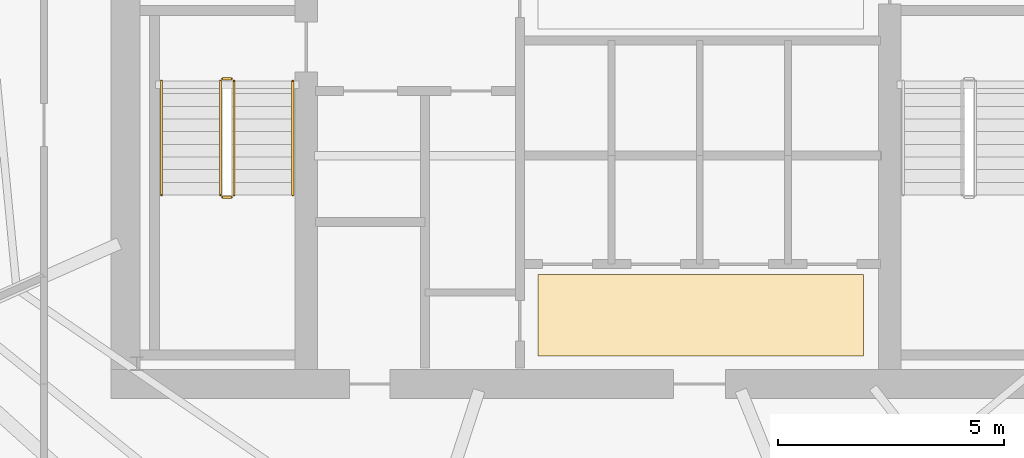
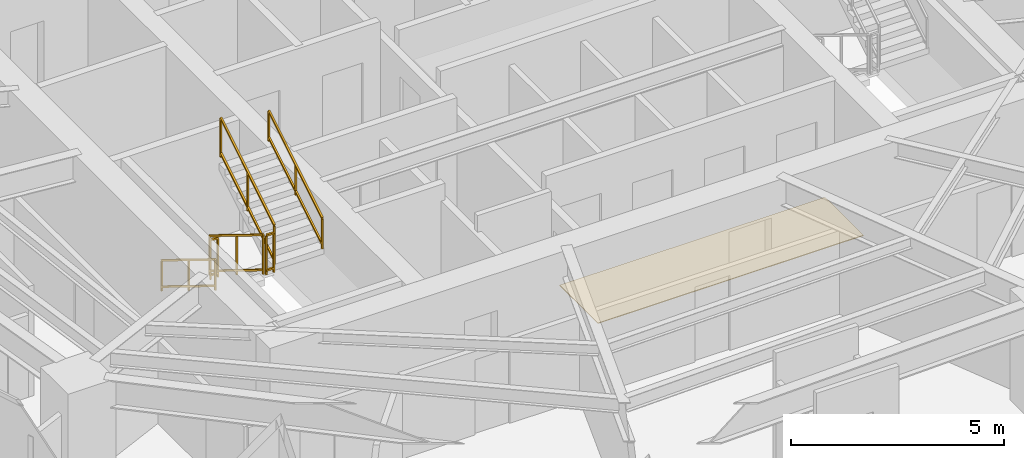
# One storey, part 30 of 33: 6 railings, 1 covering.
"""IFC4 building model written with IfcOpenShell, lengths in metres."""

from ifc_helpers import new_model, si_unit, direction, frame, origin, origin_2d, place, context, subcontext, project, spatial, rectangle, extrude, material, layer, layer_set, type_object, element, save


model = new_model("IFC4")

# Units and contexts
model_context = context("Model", 3, precision=1e-05, world=origin(), true_north=direction((0.0, 1.0)))
body_context = subcontext(model_context, "Body", "Model", "MODEL_VIEW")
ifc_project = project(units=[si_unit("LENGTHUNIT", "METRE"), si_unit("AREAUNIT", "SQUARE_METRE"), si_unit("VOLUMEUNIT", "CUBIC_METRE"), si_unit("PLANEANGLEUNIT", "RADIAN"), si_unit("MASSUNIT", "GRAM", prefix="KILO")], contexts=[model_context])

# Site, building, storey
site_placement = place(None, origin())
site = spatial("IfcSite", under=ifc_project, at=site_placement, CompositionType="ELEMENT")
building_placement = place(site_placement, origin())
building = spatial("IfcBuilding", under=site, at=building_placement, Name="Qarnah Convention Tower", CompositionType="ELEMENT")
storey_placement = place(building_placement, frame((0.0, 0.0, 27.0)))
storey = spatial("IfcBuildingStorey", under=building, at=storey_placement, Name="L05", CompositionType="ELEMENT", Elevation=27.0)

# Covering
ifc_material_1 = material(Name="Porcelain stone floor tile", Category="masonry")
ifc_layer = layer(ifc_material_1, 0.02001953125)
ifc_layer_set = layer_set([ifc_layer], Name="Porcelain stone floor tile")
covering_type = type_object("IfcCoveringType", Name="COV-FLOOR-20", PredefinedType="FLOORING", material=ifc_layer_set)
covering_placement = place(storey_placement, frame((39.52001953125, 20.1201171875, 0.0), z_axis=(0.0, 0.0, 1.0), x_axis=(1.0, 0.0, 0.0)))
element("IfcCovering", 1, at=covering_placement, inside=storey, type_object=covering_type, Name="L05 lift lobby porcelain stone flooring", PredefinedType="FLOORING", context=body_context, shape_type="SweptSolid", body=[
    extrude(rectangle(XDim=7.199951171875, YDim=1.800048828125, at=origin_2d()), origin(), (0.0, 0.0, 1.0), 0.02001953125),
])

# Railings
ifc_material_2 = material(Name="Structural steel S355JR", Category="steel")
railing_type_1 = type_object("IfcRailingType", Name="RL-STAIR-GUARD-1150", PredefinedType="GUARDRAIL", material=ifc_material_2)
railing_1_placement = place(storey_placement, frame((28.89990234375, 25.300048828125, 0.172607421875)))
element("IfcRailing", 2, at=railing_1_placement, inside=storey, type_object=railing_type_1, Name="L05 ST-1 stair guard 1", PredefinedType="GUARDRAIL", context=body_context, shape_type="SweptSolid", body=[
    extrude(rectangle(XDim=0.048095703125, YDim=0.048095703125, at=origin_2d()), frame((0.0, 0.0, 1.1259765625), z_axis=(0.0, -0.851400495292, 0.524516154772), x_axis=(1.0, 0.0, 0.0)), (0.0, 0.0, 1.0), 2.9599609375),
    extrude(rectangle(XDim=0.048095703125, YDim=0.048095703125, at=origin_2d()), frame((0.0, 0.0, 0.1201171875), z_axis=(0.0, -0.851400495292, 0.524516154772), x_axis=(1.0, 0.0, 0.0)), (0.0, 0.0, 1.0), 2.9599609375),
    extrude(rectangle(XDim=0.0419921875, YDim=0.0419921875, at=origin_2d()), origin(), (0.0, 0.0, 1.0), 1.101806640625),
    extrude(rectangle(XDim=0.0419921875, YDim=0.0419921875, at=origin_2d()), frame((0.0, -1.260009765625, 0.7763671875)), (0.0, 0.0, 1.0), 1.101806640625),
    extrude(rectangle(XDim=0.0419921875, YDim=0.0419921875, at=origin_2d()), frame((0.0, -2.52001953125, 1.552490234375)), (0.0, 0.0, 1.0), 1.101806640625),
])
railing_2_placement = place(storey_placement, frame((28.949951171875, 22.72998046875, 1.72509765625)))
element("IfcRailing", 3, at=railing_2_placement, inside=storey, type_object=railing_type_1, Name="L05 ST-1 stair guard 2", PredefinedType="GUARDRAIL", context=body_context, shape_type="SweptSolid", body=[
    extrude(rectangle(XDim=0.048095703125, YDim=0.048095703125, at=origin_2d()), frame((0.0, 0.0, 1.1259765625), z_axis=(1.0, 0.0, 0.0), x_axis=(0.0, 1.0, 0.0)), (0.0, 0.0, 1.0), 0.199951171875),
    extrude(rectangle(XDim=0.048095703125, YDim=0.048095703125, at=origin_2d()), frame((0.0, 0.0, 0.1201171875), z_axis=(1.0, 0.0, 0.0), x_axis=(0.0, 1.0, 0.0)), (0.0, 0.0, 1.0), 0.199951171875),
    extrude(rectangle(XDim=0.0419921875, YDim=0.0419921875, at=origin_2d()), origin(), (0.0, 0.0, 1.0), 1.101806640625),
    extrude(rectangle(XDim=0.0419921875, YDim=0.0419921875, at=origin_2d()), frame((0.199951171875, 0.0, 0.0)), (0.0, 0.0, 1.0), 1.101806640625),
])
railing_3_placement = place(storey_placement, frame((29.199951171875, 22.780029296875, 1.8974609375)))
element("IfcRailing", 4, at=railing_3_placement, inside=storey, type_object=railing_type_1, Name="L05 ST-1 stair guard 3", PredefinedType="GUARDRAIL", context=body_context, shape_type="SweptSolid", body=[
    extrude(rectangle(XDim=0.048095703125, YDim=0.048095703125, at=origin_2d()), frame((0.0, 0.0, 1.1259765625), z_axis=(0.0, 0.851400495292, 0.524516154772), x_axis=(-1.0, 0.0, 0.0)), (0.0, 0.0, 1.0), 2.9599609375),
    extrude(rectangle(XDim=0.048095703125, YDim=0.048095703125, at=origin_2d()), frame((0.0, 0.0, 0.1201171875), z_axis=(0.0, 0.851400495292, 0.524516154772), x_axis=(-1.0, 0.0, 0.0)), (0.0, 0.0, 1.0), 2.9599609375),
    extrude(rectangle(XDim=0.0419921875, YDim=0.0419921875, at=origin_2d()), origin(), (0.0, 0.0, 1.0), 1.101806640625),
    extrude(rectangle(XDim=0.0419921875, YDim=0.0419921875, at=origin_2d()), frame((0.0, 1.260009765625, 0.7763671875)), (0.0, 0.0, 1.0), 1.101806640625),
    extrude(rectangle(XDim=0.0419921875, YDim=0.0419921875, at=origin_2d()), frame((0.0, 2.52001953125, 1.552490234375)), (0.0, 0.0, 1.0), 1.101806640625),
])
railing_4_placement = place(storey_placement, frame((28.949951171875, 25.35009765625, 0.0)))
element("IfcRailing", 5, at=railing_4_placement, inside=storey, type_object=railing_type_1, Name="L05 ST-1 stair guard 4", PredefinedType="GUARDRAIL", context=body_context, shape_type="SweptSolid", body=[
    extrude(rectangle(XDim=0.048095703125, YDim=0.048095703125, at=origin_2d()), frame((0.0, 0.0, 1.1259765625), z_axis=(1.0, 0.0, 0.0), x_axis=(0.0, 1.0, 0.0)), (0.0, 0.0, 1.0), 0.199951171875),
    extrude(rectangle(XDim=0.048095703125, YDim=0.048095703125, at=origin_2d()), frame((0.0, 0.0, 0.1201171875), z_axis=(1.0, 0.0, 0.0), x_axis=(0.0, 1.0, 0.0)), (0.0, 0.0, 1.0), 0.199951171875),
    extrude(rectangle(XDim=0.0419921875, YDim=0.0419921875, at=origin_2d()), origin(), (0.0, 0.0, 1.0), 1.101806640625),
    extrude(rectangle(XDim=0.0419921875, YDim=0.0419921875, at=origin_2d()), frame((0.199951171875, 0.0, 0.0)), (0.0, 0.0, 1.0), 1.101806640625),
])
railing_type_2 = type_object("IfcRailingType", Name="RL-STAIR-HAND-900", PredefinedType="HANDRAIL", material=ifc_material_2)
railing_5_placement = place(storey_placement, frame((27.60009765625, 25.300048828125, 0.172607421875)))
element("IfcRailing", 6, at=railing_5_placement, inside=storey, type_object=railing_type_2, Name="L05 ST-1 stair handrail 1", PredefinedType="HANDRAIL", context=body_context, shape_type="SweptSolid", body=[
    extrude(rectangle(XDim=0.048095703125, YDim=0.048095703125, at=origin_2d()), frame((0.0, 0.0, 0.8759765625), z_axis=(0.0, -0.851400495292, 0.524516154772), x_axis=(1.0, 0.0, 0.0)), (0.0, 0.0, 1.0), 2.9599609375),
    extrude(rectangle(XDim=0.048095703125, YDim=0.048095703125, at=origin_2d()), frame((0.0, 0.0, 0.1201171875), z_axis=(0.0, -0.851400495292, 0.524516154772), x_axis=(1.0, 0.0, 0.0)), (0.0, 0.0, 1.0), 2.9599609375),
    extrude(rectangle(XDim=0.0419921875, YDim=0.0419921875, at=origin_2d()), origin(), (0.0, 0.0, 1.0), 0.851806640625),
    extrude(rectangle(XDim=0.0419921875, YDim=0.0419921875, at=origin_2d()), frame((0.0, -1.260009765625, 0.7763671875)), (0.0, 0.0, 1.0), 0.851806640625),
    extrude(rectangle(XDim=0.0419921875, YDim=0.0419921875, at=origin_2d()), frame((0.0, -2.52001953125, 1.552490234375)), (0.0, 0.0, 1.0), 0.851806640625),
])
railing_6_placement = place(storey_placement, frame((30.5, 22.780029296875, 1.8974609375)))
element("IfcRailing", 7, at=railing_6_placement, inside=storey, type_object=railing_type_2, Name="L05 ST-1 stair handrail 2", PredefinedType="HANDRAIL", context=body_context, shape_type="SweptSolid", body=[
    extrude(rectangle(XDim=0.048095703125, YDim=0.048095703125, at=origin_2d()), frame((0.0, 0.0, 0.8759765625), z_axis=(0.0, 0.851400495292, 0.524516154772), x_axis=(-1.0, 0.0, 0.0)), (0.0, 0.0, 1.0), 2.9599609375),
    extrude(rectangle(XDim=0.048095703125, YDim=0.048095703125, at=origin_2d()), frame((0.0, 0.0, 0.1201171875), z_axis=(0.0, 0.851400495292, 0.524516154772), x_axis=(-1.0, 0.0, 0.0)), (0.0, 0.0, 1.0), 2.9599609375),
    extrude(rectangle(XDim=0.0419921875, YDim=0.0419921875, at=origin_2d()), origin(), (0.0, 0.0, 1.0), 0.851806640625),
    extrude(rectangle(XDim=0.0419921875, YDim=0.0419921875, at=origin_2d()), frame((0.0, 1.260009765625, 0.7763671875)), (0.0, 0.0, 1.0), 0.851806640625),
    extrude(rectangle(XDim=0.0419921875, YDim=0.0419921875, at=origin_2d()), frame((0.0, 2.52001953125, 1.552490234375)), (0.0, 0.0, 1.0), 0.851806640625),
])

save(model, "model.ifc")
